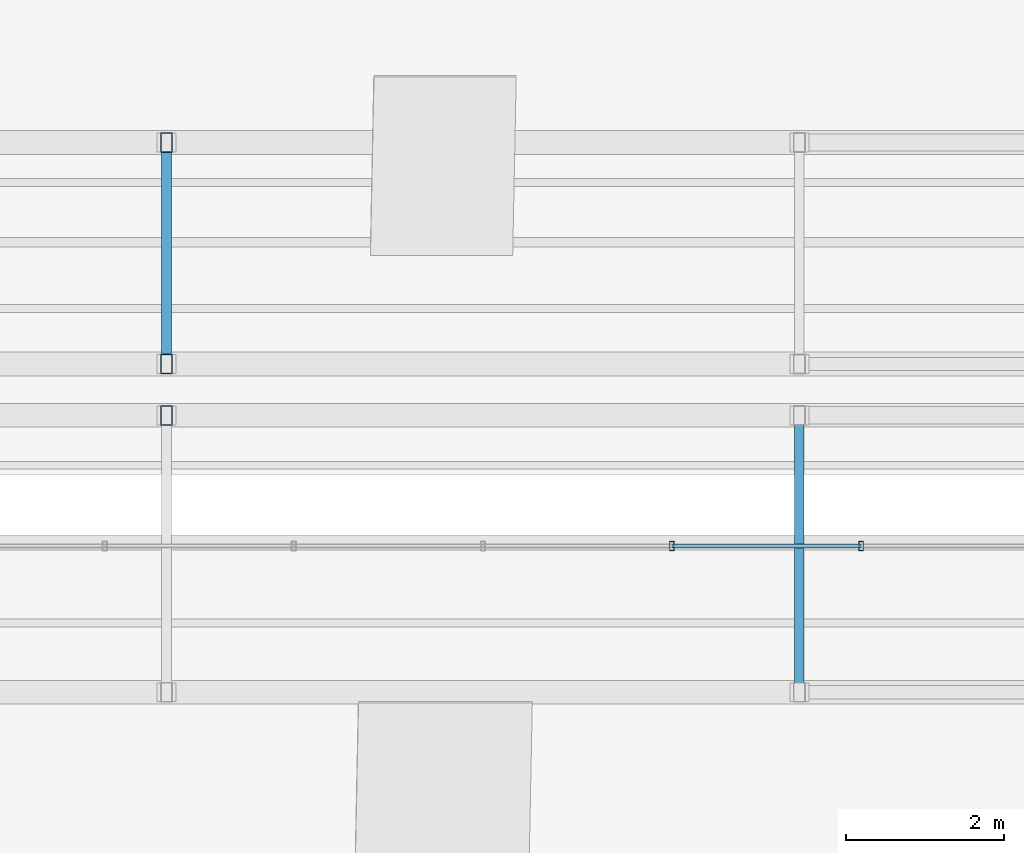
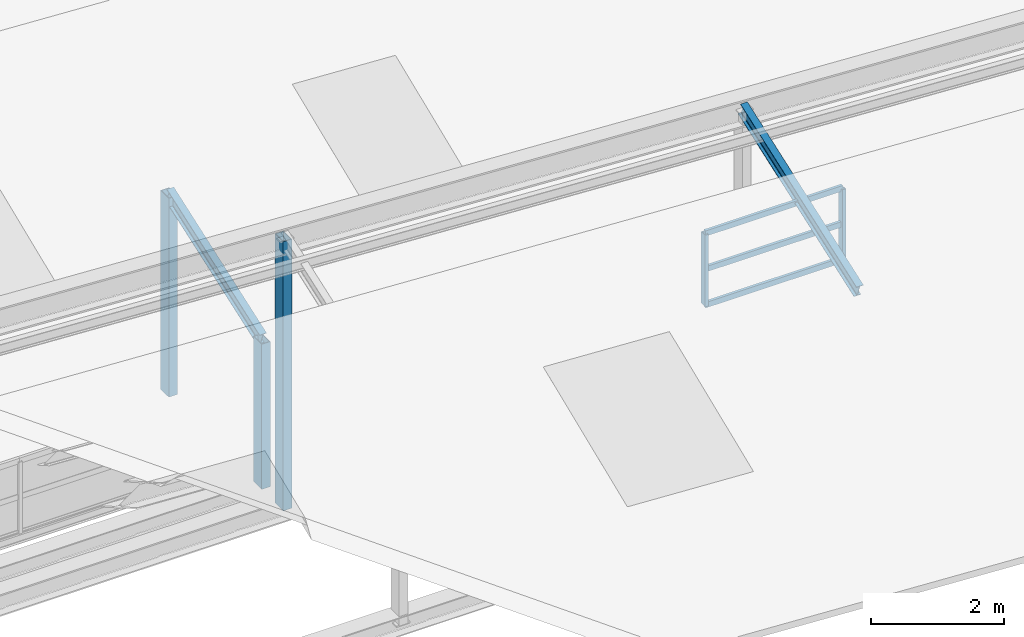
# One storey, part 54 of 141: 10 members, 1 element without a shape of its own.
"""IFC4 building model written with IfcOpenShell, lengths in metres."""

from ifc_helpers import new_model, si_unit, direction, frame, origin, origin_2d, place, context, subcontext, project, spatial, hollow_rectangle, i_section, extrude, material, material_profile, profile_set, type_object, element, aggregate, save


model = new_model("IFC4")

# Units and contexts
model_context = context("Model", 3, precision=1e-05, world=origin(), true_north=direction((0.0, 1.0)))
body_context = subcontext(model_context, "Body", "Model", "MODEL_VIEW")
ifc_project = project(units=[si_unit("LENGTHUNIT", "METRE"), si_unit("AREAUNIT", "SQUARE_METRE"), si_unit("VOLUMEUNIT", "CUBIC_METRE"), si_unit("PLANEANGLEUNIT", "RADIAN"), si_unit("MASSUNIT", "GRAM", prefix="KILO")], contexts=[model_context])

# Site, building, storey
site_placement = place(None, origin())
site = spatial("IfcSite", under=ifc_project, at=site_placement, CompositionType="ELEMENT")
building_placement = place(site_placement, origin())
building = spatial("IfcBuilding", under=site, at=building_placement, Name="Sundkrona Museum", CompositionType="ELEMENT")
storey_placement = place(building_placement, frame((0.0, 0.0, 34.0)))
storey = spatial("IfcBuildingStorey", under=building, at=storey_placement, Name="RF", CompositionType="ELEMENT", Elevation=34.0)

# Curtain wall, members
ifc_material_1 = material(Name="Unitised Aluminium-Steel and Ceramic-Clad Curtain Walling", Category="steel")
curtain_wall_type = type_object("IfcCurtainWallType", Name="CW-SW-240x13", PredefinedType="NOTDEFINED", material=ifc_material_1)
curtain_wall_placement = place(storey_placement, origin())
curtain_wall = element("IfcCurtainWall", 1, at=curtain_wall_placement, inside=storey, type_object=curtain_wall_type, Name="Sawtooth Bay 1 East North-Light Clerestory", PredefinedType="NOTDEFINED")
ifc_material_2 = material(Name="Aluminium EN AW-6060 T66", Category="aluminium")
ifc_material_profile_1 = material_profile(ifc_material_2, hollow_rectangle(XDim=0.06005859375, YDim=0.1201171875, WallThickness=0.0048828125, at=origin_2d()), Name="RHS 120x60x5.0")
ifc_profile_set_1 = profile_set([ifc_material_profile_1], Name="Aluminium EN AW-6060 T66")
member_type_1 = type_object("IfcMemberType", Name="ML-120", PredefinedType="MULLION", material=ifc_profile_set_1)
member_1_placement = place(storey_placement, frame((158.389892578125, 2.199951171875, 2.212890625), z_axis=(0.0, 0.0, 1.0), x_axis=(1.0, 0.0, 0.0)))
member_1 = element("IfcMember", 2, at=member_1_placement, type_object=member_type_1, Name="CW-RF-SAW-01E Mullion 07", PredefinedType="MULLION", context=body_context, shape_type="SweptSolid", body=[
    extrude(hollow_rectangle(XDim=0.06005859375, YDim=0.1201171875, WallThickness=0.0048828125, at=origin_2d()), origin(), (0.0, 0.0, 1.0), 1.320068359375),
])
member_2_placement = place(storey_placement, frame((160.780029296875, 2.199951171875, 2.212890625), z_axis=(0.0, 0.0, 1.0), x_axis=(1.0, 0.0, 0.0)))
member_2 = element("IfcMember", 3, at=member_2_placement, type_object=member_type_1, Name="CW-RF-SAW-01E Mullion 08", PredefinedType="MULLION", context=body_context, shape_type="SweptSolid", body=[
    extrude(hollow_rectangle(XDim=0.06005859375, YDim=0.1201171875, WallThickness=0.0048828125, at=origin_2d()), origin(), (0.0, 0.0, 1.0), 1.320068359375),
])

# Members
ifc_material_3 = material(Name="Steel S355J2", Category="steel")
ifc_material_profile_2 = material_profile(ifc_material_3, i_section(OverallWidth=0.1201171875, OverallDepth=0.239990234375, WebThickness=0.006103515625, FlangeThickness=0.009765625, FilletRadius=0.014892578125, at=origin_2d()), Name="IPE 240")
ifc_profile_set_2 = profile_set([ifc_material_profile_2], Name="Steel S355J2")
member_type_2 = type_object("IfcMemberType", Name="PR-IPE240", PredefinedType="PURLIN", material=ifc_profile_set_2)
member_3_placement = place(storey_placement, frame((160.0, 0.35009765625, 3.0234375), z_axis=(0.0, 0.94188749485, 0.335928485015), x_axis=(-1.0, 0.0, 0.0)))
element("IfcMember", 4, at=member_3_placement, inside=storey, type_object=member_type_2, Name="RFS-1 Sawtooth Bay 1 Transverse Rafter 6", PredefinedType="PURLIN", context=body_context, shape_type="SweptSolid", body=[
    extrude(i_section(OverallWidth=0.1201171875, OverallDepth=0.239990234375, WebThickness=0.006103515625, FlangeThickness=0.009765625, FilletRadius=0.014892578125, at=origin_2d()), origin(), (0.0, 0.0, 1.0), 3.716064453125),
])
member_4_placement = place(storey_placement, frame((152.0, 4.5, 2.422607421875), z_axis=(0.0, 0.942754878846, 0.333486489099), x_axis=(-1.0, 0.0, 0.0)))
element("IfcMember", 5, at=member_4_placement, inside=storey, type_object=member_type_2, Name="RFS-1 Sawtooth Bay 2 Transverse Rafter 5", PredefinedType="PURLIN", context=body_context, shape_type="SweptSolid", body=[
    extrude(i_section(OverallWidth=0.1201171875, OverallDepth=0.239990234375, WebThickness=0.006103515625, FlangeThickness=0.009765625, FilletRadius=0.014892578125, at=origin_2d()), origin(), (0.0, 0.0, 1.0), 2.969970703125),
])
ifc_material_profile_3 = material_profile(ifc_material_3, hollow_rectangle(XDim=0.14990234375, YDim=0.25, WallThickness=0.010009765625, at=origin_2d()), Name="RHS 250x150x10.0")
ifc_profile_set_3 = profile_set([ifc_material_profile_3], Name="Steel S355J2")
member_type_3 = type_object("IfcMemberType", Name="ST-RHS250", PredefinedType="STRUT", material=ifc_profile_set_3)
member_5_placement = place(storey_placement, frame((152.0, 3.85009765625, -0.25), z_axis=(0.0, 0.0, 1.0), x_axis=(1.0, 0.0, 0.0)))
element("IfcMember", 6, at=member_5_placement, inside=storey, type_object=member_type_3, Name="RFS-1 Sawtooth Truss 1 Vertical Post 5", PredefinedType="STRUT", context=body_context, shape_type="SweptSolid", body=[
    extrude(hollow_rectangle(XDim=0.14990234375, YDim=0.25, WallThickness=0.010009765625, at=origin_2d()), origin(), (0.0, 0.0, 1.0), 4.95458984375),
])
member_6_placement = place(storey_placement, frame((152.0, 7.300048828125, -0.25), z_axis=(0.0, 0.0, 1.0), x_axis=(1.0, 0.0, 0.0)))
element("IfcMember", 7, at=member_6_placement, inside=storey, type_object=member_type_3, Name="RFS-1 Sawtooth Truss 2 Vertical Post 5", PredefinedType="STRUT", context=body_context, shape_type="SweptSolid", body=[
    extrude(hollow_rectangle(XDim=0.14990234375, YDim=0.25, WallThickness=0.010009765625, at=origin_2d()), origin(), (0.0, 0.0, 1.0), 3.6630859375),
])
member_7_placement = place(storey_placement, frame((152.0, 4.5, -0.25), z_axis=(0.0, 0.0, 1.0), x_axis=(1.0, 0.0, 0.0)))
element("IfcMember", 8, at=member_7_placement, inside=storey, type_object=member_type_3, Name="RFS-1 Sawtooth Bay 2 Valley Post 5", PredefinedType="STRUT", context=body_context, shape_type="SweptSolid", body=[
    extrude(hollow_rectangle(XDim=0.14990234375, YDim=0.25, WallThickness=0.010009765625, at=origin_2d()), origin(), (0.0, 0.0, 1.0), 2.672607421875),
])

# Member
ifc_material_profile_4 = material_profile(ifc_material_2, hollow_rectangle(XDim=0.050048828125, YDim=0.10009765625, WallThickness=0.0048828125, at=origin_2d()), Name="RHS 100x50x5.0")
ifc_profile_set_4 = profile_set([ifc_material_profile_4], Name="Aluminium EN AW-6060 T66")
member_type_4 = type_object("IfcMemberType", Name="TR-100", PredefinedType="USERDEFINED", material=ifc_profile_set_4)
member_8_placement = place(storey_placement, frame((158.389892578125, 2.199951171875, 2.212890625), z_axis=(1.0, 0.0, 0.0), x_axis=(0.0, 1.0, 0.0)))
member_8 = element("IfcMember", 9, at=member_8_placement, type_object=member_type_4, Name="CW-RF-SAW-01E Transom 19", ObjectType="TRANSOM", PredefinedType="USERDEFINED", context=body_context, shape_type="SweptSolid", body=[
    extrude(hollow_rectangle(XDim=0.050048828125, YDim=0.10009765625, WallThickness=0.0048828125, at=origin_2d()), origin(), (0.0, 0.0, 1.0), 2.39013671875),
])

member_9_placement = place(storey_placement, frame((158.389892578125, 2.199951171875, 2.873046875), z_axis=(1.0, 0.0, 0.0), x_axis=(0.0, 1.0, 0.0)))
member_9 = element("IfcMember", 10, at=member_9_placement, type_object=member_type_4, Name="CW-RF-SAW-01E Transom 20", ObjectType="TRANSOM", PredefinedType="USERDEFINED", context=body_context, shape_type="SweptSolid", body=[
    extrude(hollow_rectangle(XDim=0.050048828125, YDim=0.10009765625, WallThickness=0.0048828125, at=origin_2d()), origin(), (0.0, 0.0, 1.0), 2.39013671875),
])

member_10_placement = place(storey_placement, frame((158.389892578125, 2.199951171875, 3.532958984375), z_axis=(1.0, 0.0, 0.0), x_axis=(0.0, 1.0, 0.0)))
member_10 = element("IfcMember", 11, at=member_10_placement, type_object=member_type_4, Name="CW-RF-SAW-01E Transom 21", ObjectType="TRANSOM", PredefinedType="USERDEFINED", context=body_context, shape_type="SweptSolid", body=[
    extrude(hollow_rectangle(XDim=0.050048828125, YDim=0.10009765625, WallThickness=0.0048828125, at=origin_2d()), origin(), (0.0, 0.0, 1.0), 2.39013671875),
])

aggregate(curtain_wall, [member_1, member_2, member_8, member_9, member_10])

save(model, "model.ifc")
